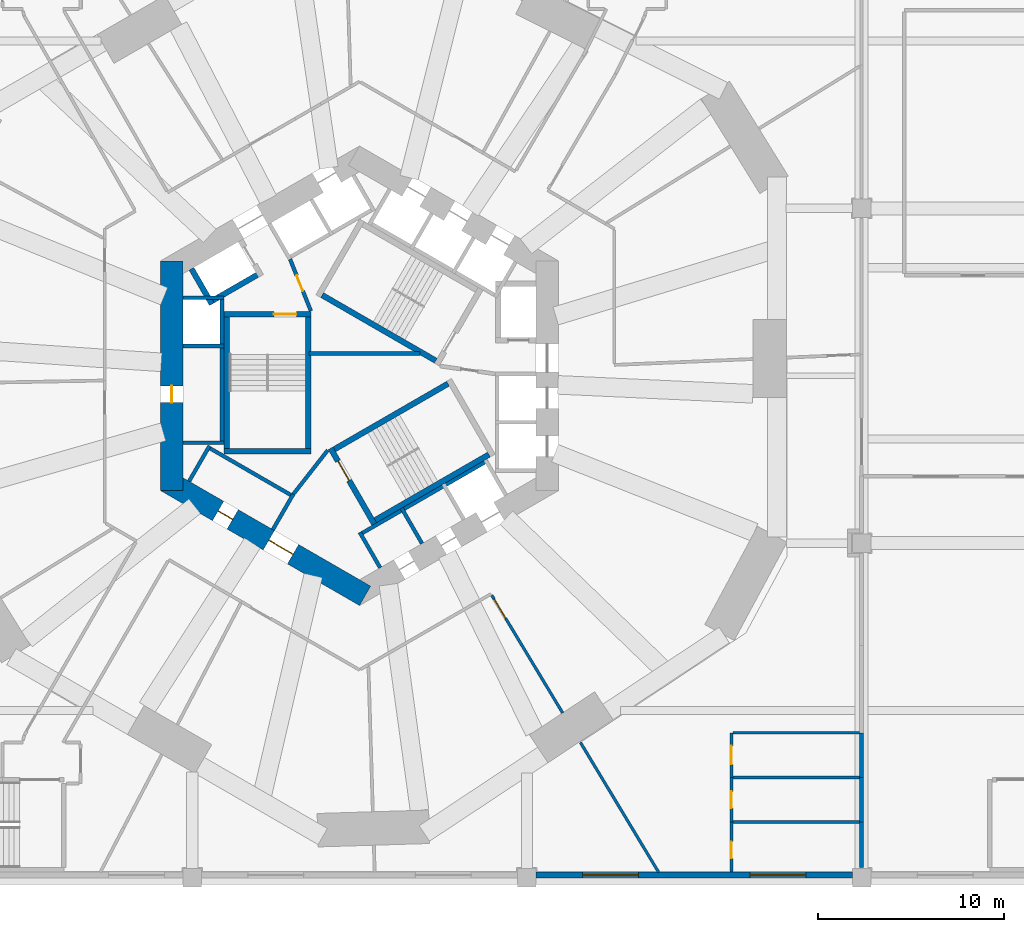
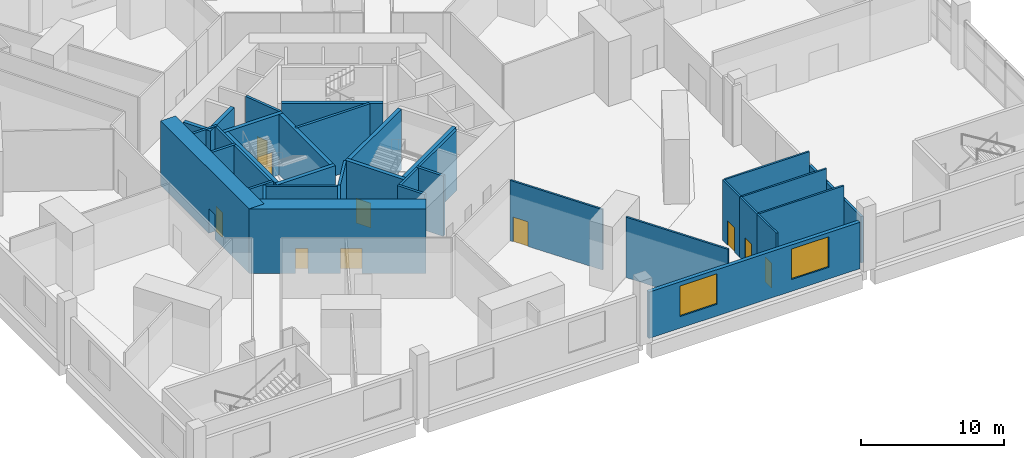
# One storey, part 6 of 16: 37 walls, 10 doors, 2 windows, 12 openings.
"""IFC4 building model written with IfcOpenShell, lengths in metres."""

from ifc_helpers import new_model, si_unit, direction, frame, frame_2d, origin, place, context, subcontext, project, spatial, rectangle, extrude, material, layer, layer_set, type_object, element, fill, save


model = new_model("IFC4")

# Units and contexts
model_context = context("Model", 3, precision=1e-05, world=origin(), true_north=direction((0.0, 1.0)))
body_context = subcontext(model_context, "Body", "Model", "MODEL_VIEW")
ifc_project = project(units=[si_unit("LENGTHUNIT", "METRE"), si_unit("AREAUNIT", "SQUARE_METRE"), si_unit("VOLUMEUNIT", "CUBIC_METRE"), si_unit("PLANEANGLEUNIT", "RADIAN"), si_unit("MASSUNIT", "GRAM", prefix="KILO")], contexts=[model_context])

# Site, building, storey
site_placement = place(None, origin())
site = spatial("IfcSite", under=ifc_project, at=site_placement, CompositionType="ELEMENT")
building_placement = place(site_placement, origin())
building = spatial("IfcBuilding", under=site, at=building_placement, Name="Vanh Sen Convention Tower", CompositionType="ELEMENT")
storey_placement = place(building_placement, frame((0.0, 0.0, 29.0)))
storey = spatial("IfcBuildingStorey", under=building, at=storey_placement, Name="L04", CompositionType="ELEMENT", Elevation=29.0)

# Wall, opening, door
ifc_material_1 = material(Name="Concrete C80/95", Category="concrete")
ifc_layer_1 = layer(ifc_material_1, 1.199951171875)
ifc_layer_set_1 = layer_set([ifc_layer_1], Name="Concrete C80/95")
wall_type_1 = type_object("IfcWallType", Name="Core outer wall 1200 C80/95", PredefinedType="SHEAR", material=ifc_layer_set_1)
wall_1_placement = place(storey_placement, frame((-10.10009765625, 6.177490234375, 0.0), z_axis=(0.0, 0.0, 1.0), x_axis=(0.0, -1.0, 0.0)))
wall_1 = element("IfcWall", 1, at=wall_1_placement, inside=storey, type_object=wall_type_1, Name="Core wall face W L04", PredefinedType="SHEAR", context=body_context, shape_type="SweptSolid", body=[
    extrude(rectangle(XDim=12.35498046875, YDim=1.199951171875, at=frame_2d((6.177490234375, 0.0))), origin(), (0.0, 0.0, 1.0), 5.5),
])
opening_1_placement = place(wall_1_placement, frame((6.7275390625, 0.0, 0.0)))
opening_1 = element("IfcOpeningElement", 2, at=opening_1_placement, cuts=wall_1, Name="Opening D04009", PredefinedType="OPENING", context=body_context, shape_type="SweptSolid", body=[
    extrude(rectangle(XDim=0.89990234375, YDim=2.10009765625, at=frame_2d((0.449951171875, 1.050048828125))), frame((0.0, 0.60986328125, 0.0), z_axis=(0.0, -1.0, 0.0), x_axis=(1.0, 0.0, 0.0)), (0.0, 0.0, 1.0), 1.219970703125),
])
ifc_material_2 = material(Name="Steel S355", Category="steel")
door_type_1 = type_object("IfcDoorType", Name="Plant door 900", OperationType="SINGLE_SWING_LEFT", PredefinedType="DOOR", material=ifc_material_2)
door_1_placement = place(opening_1_placement, origin())
door_1 = element("IfcDoor", 3, at=door_1_placement, inside=storey, type_object=door_type_1, Name="Plant door D04009", OperationType="SINGLE_SWING_LEFT", OverallHeight=2.10009765625, OverallWidth=0.89990234375, PredefinedType="DOOR", context=body_context, shape_type="SweptSolid", body=[
    extrude(rectangle(XDim=0.89990234375, YDim=2.10009765625, at=frame_2d((0.449951171875, 1.050048828125))), frame((0.0, 0.02490234375, 0.0), z_axis=(0.0, -1.0, 0.0), x_axis=(1.0, 0.0, 0.0)), (0.0, 0.0, 1.0), 0.050048828125),
])
fill(opening_1, door_1)

# Wall, openings, doors
wall_2_placement = place(storey_placement, frame((-10.39990234375, -5.657958984375, 0.0), z_axis=(0.0, 0.0, 1.0), x_axis=(0.866021384402, -0.500006961711, 0.0)))
wall_2 = element("IfcWall", 4, at=wall_2_placement, inside=storey, type_object=wall_type_1, Name="Core wall face SW L04", PredefinedType="SHEAR", context=body_context, shape_type="SweptSolid", body=[
    extrude(rectangle(XDim=12.355224609375, YDim=1.199951171875, at=frame_2d((6.177734375, 0.0))), origin(), (0.0, 0.0, 1.0), 5.5),
])
opening_2_placement = place(wall_2_placement, frame((6.377685546875, 0.0, 0.0)))
opening_2 = element("IfcOpeningElement", 5, at=opening_2_placement, cuts=wall_2, Name="Opening D04003", PredefinedType="OPENING", context=body_context, shape_type="SweptSolid", body=[
    extrude(rectangle(XDim=1.5, YDim=2.10009765625, at=frame_2d((0.75, 1.050048828125))), frame((0.0, 0.60986328125, 0.0), z_axis=(0.0, -1.0, 0.0), x_axis=(1.0, 0.0, 0.0)), (0.0, 0.0, 1.0), 1.219970703125),
])
opening_3_placement = place(wall_2_placement, frame((3.227783203125, 0.0, 0.0)))
opening_3 = element("IfcOpeningElement", 6, at=opening_3_placement, cuts=wall_2, Name="Opening D04010", PredefinedType="OPENING", context=body_context, shape_type="SweptSolid", body=[
    extrude(rectangle(XDim=0.89990234375, YDim=2.10009765625, at=frame_2d((0.449951171875, 1.050048828125))), frame((0.0, 0.60986328125, 0.0), z_axis=(0.0, -1.0, 0.0), x_axis=(1.0, 0.0, 0.0)), (0.0, 0.0, 1.0), 1.219970703125),
])
door_2_placement = place(opening_3_placement, origin())
door_2 = element("IfcDoor", 7, at=door_2_placement, inside=storey, type_object=door_type_1, Name="Plant door D04010", OperationType="SINGLE_SWING_LEFT", OverallHeight=2.10009765625, OverallWidth=0.89990234375, PredefinedType="DOOR", context=body_context, shape_type="SweptSolid", body=[
    extrude(rectangle(XDim=0.89990234375, YDim=2.10009765625, at=frame_2d((0.449951171875, 1.050048828125))), frame((0.0, 0.02490234375, 0.0), z_axis=(0.0, -1.0, 0.0), x_axis=(1.0, 0.0, 0.0)), (0.0, 0.0, 1.0), 0.050048828125),
])
fill(opening_3, door_2)
door_type_2 = type_object("IfcDoorType", Name="Stair lobby door 1500", OperationType="DOUBLE_DOOR_SINGLE_SWING", PredefinedType="DOOR", material=ifc_material_2)
door_3_placement = place(opening_2_placement, origin())
door_3 = element("IfcDoor", 8, at=door_3_placement, inside=storey, type_object=door_type_2, Name="Stair lobby door D04003", OperationType="DOUBLE_DOOR_SINGLE_SWING", OverallHeight=2.10009765625, OverallWidth=1.5, PredefinedType="DOOR", context=body_context, shape_type="SweptSolid", body=[
    extrude(rectangle(XDim=1.5, YDim=2.10009765625, at=frame_2d((0.75, 1.050048828125))), frame((0.0, 0.02490234375, 0.0), z_axis=(0.0, -1.0, 0.0), x_axis=(1.0, 0.0, 0.0)), (0.0, 0.0, 1.0), 0.050048828125),
])
fill(opening_2, door_3)

# Walls
ifc_material_3 = material(Name="Masonry blockwork", Category="masonry")
ifc_layer_2 = layer(ifc_material_3, 0.199951171875)
ifc_layer_set_2 = layer_set([ifc_layer_2], Name="Masonry blockwork")
wall_type_2 = type_object("IfcWallType", Name="Core partition 200", PredefinedType="PARTITIONING", material=ifc_layer_set_2)
wall_3_placement = place(storey_placement, frame((-2.719970703125, 1.199951171875, 0.0), z_axis=(0.0, 0.0, 1.0), x_axis=(1.0, 0.0, 0.0)))
element("IfcWall", 9, at=wall_3_placement, inside=storey, type_object=wall_type_2, Name="Core partition L04", PredefinedType="PARTITIONING", context=body_context, shape_type="SweptSolid", body=[
    extrude(rectangle(XDim=5.96142578125, YDim=0.199951171875, at=frame_2d((2.980712890625, 0.0))), origin(), (0.0, 0.0, 1.0), 5.14990234375),
])
ifc_material_4 = material(Name="Concrete C60/75", Category="concrete")
ifc_layer_3 = layer(ifc_material_4, 0.300048828125)
ifc_layer_set_3 = layer_set([ifc_layer_3], Name="Concrete C60/75")
wall_type_3 = type_object("IfcWallType", Name="Fire-fighting lift shaft wall 300", PredefinedType="SHEAR", material=ifc_layer_set_3)
wall_4_placement = place(storey_placement, frame((-5.240478515625, 5.576904296875, 0.0), z_axis=(0.0, 0.0, 1.0), x_axis=(-0.866014461049, -0.500018952895, 0.0)))
element("IfcWall", 10, at=wall_4_placement, inside=storey, type_object=wall_type_3, Name="Fire-fighting lift shaft wall L04", PredefinedType="SHEAR", context=body_context, shape_type="SweptSolid", body=[
    extrude(rectangle(XDim=3.349853515625, YDim=0.300048828125, at=frame_2d((1.6748046875, 0.0))), origin(), (0.0, 0.0, 1.0), 5.14990234375),
])
wall_5_placement = place(storey_placement, frame((-7.936767578125, 3.846923828125, 0.0), z_axis=(0.0, 0.0, 1.0), x_axis=(-0.50002983664, 0.866008176907, 0.0)))
element("IfcWall", 11, at=wall_5_placement, inside=storey, type_object=wall_type_3, Name="Fire-fighting lift shaft wall L04", PredefinedType="SHEAR", context=body_context, shape_type="SweptSolid", body=[
    extrude(rectangle(XDim=2.199951171875, YDim=0.300048828125, at=frame_2d((1.10009765625, 0.0))), origin(), (0.0, 0.0, 1.0), 5.14990234375),
])
ifc_material_5 = material(Name="Concrete C40/50", Category="concrete")
ifc_layer_4 = layer(ifc_material_5, 0.199951171875)
ifc_layer_set_4 = layer_set([ifc_layer_4], Name="Concrete C40/50")
wall_type_4 = type_object("IfcWallType", Name="Lift shaft wall 200", PredefinedType="PARTITIONING", material=ifc_layer_set_4)
wall_6_placement = place(storey_placement, frame((-7.39990234375, 4.300048828125, 0.0), z_axis=(0.0, 0.0, 1.0), x_axis=(0.0, -1.0, 0.0)))
element("IfcWall", 12, at=wall_6_placement, inside=storey, type_object=wall_type_4, Name="Lift shaft wall L04", PredefinedType="PARTITIONING", context=body_context, shape_type="SweptSolid", body=[
    extrude(rectangle(XDim=8.0, YDim=0.199951171875, at=frame_2d((4.0, 0.0))), origin(), (0.0, 0.0, 1.0), 5.14990234375),
])
for number, where, z_axis, x_axis, name in (
    (13, (-7.300048828125, 4.199951171875, 0.0), (0.0, 0.0, 1.0), (-1.0, 0.0, 0.0), "Lift shaft wall L04"),
    (14, (-7.300048828125, 1.60009765625, 0.0), (0.0, 0.0, 1.0), (-1.0, 0.0, 0.0), "Lift shaft wall L04"),
    (15, (-7.300048828125, -3.60009765625, 0.0), (0.0, 0.0, 1.0), (-1.0, 0.0, 0.0), "Lift shaft wall L04"),
):
    element("IfcWall", number, at=place(storey_placement, frame(where, z_axis=z_axis, x_axis=x_axis)), inside=storey, type_object=wall_type_4, Name=name, PredefinedType="PARTITIONING", context=body_context, shape_type="SweptSolid", body=[
        extrude(rectangle(XDim=2.199951171875, YDim=0.199951171875, at=frame_2d((1.10009765625, 0.0))), origin(), (0.0, 0.0, 1.0), 5.14990234375),
    ])
wall_7_placement = place(storey_placement, frame((-8.203369140625, -3.80859375, 0.0), z_axis=(0.0, 0.0, 1.0), x_axis=(0.866028230842, -0.499995103361, 0.0)))
element("IfcWall", 16, at=wall_7_placement, inside=storey, type_object=wall_type_4, Name="Lift shaft wall L04", PredefinedType="PARTITIONING", context=body_context, shape_type="SweptSolid", body=[
    extrude(rectangle(XDim=5.39990234375, YDim=0.199951171875, at=frame_2d((2.699951171875, 0.0))), origin(), (0.0, 0.0, 1.0), 5.14990234375),
])
wall_8_placement = place(storey_placement, frame((-8.066650390625, -3.77197265625, 0.0), z_axis=(0.0, 0.0, 1.0), x_axis=(-0.50002983664, -0.866008176907, 0.0)))
element("IfcWall", 17, at=wall_8_placement, inside=storey, type_object=wall_type_4, Name="Lift shaft wall L04", PredefinedType="PARTITIONING", context=body_context, shape_type="SweptSolid", body=[
    extrude(rectangle(XDim=2.199951171875, YDim=0.199951171875, at=frame_2d((1.10009765625, 0.0))), origin(), (0.0, 0.0, 1.0), 5.14990234375),
])
wall_9_placement = place(storey_placement, frame((-3.5634765625, -6.3720703125, 0.0), z_axis=(0.0, 0.0, 1.0), x_axis=(-0.499994660107, -0.866028486751, 0.0)))
element("IfcWall", 18, at=wall_9_placement, inside=storey, type_object=wall_type_4, Name="Lift shaft wall L04", PredefinedType="PARTITIONING", context=body_context, shape_type="SweptSolid", body=[
    extrude(rectangle(XDim=2.19970703125, YDim=0.199951171875, at=frame_2d((1.099853515625, 0.0))), origin(), (0.0, 0.0, 1.0), 5.14990234375),
])
wall_10_placement = place(storey_placement, frame((-0.02392578125, -8.55859375, 0.0), z_axis=(0.0, 0.0, 1.0), x_axis=(0.866026010844, 0.49999894854, 0.0)))
element("IfcWall", 19, at=wall_10_placement, inside=storey, type_object=wall_type_4, Name="Lift shaft wall L04", PredefinedType="PARTITIONING", context=body_context, shape_type="SweptSolid", body=[
    extrude(rectangle(XDim=8.0, YDim=0.199951171875, at=frame_2d((4.0, 0.0))), origin(), (0.0, 0.0, 1.0), 5.14990234375),
])
for number, where, z_axis, x_axis, name in (
    (20, (0.0126953125, -8.422119140625, 0.0), (0.0, 0.0, 1.0), (0.500077893725, -0.86598042715, 0.0), "Lift shaft wall L04"),
    (21, (2.264404296875, -7.1220703125, 0.0), (0.0, 0.0, 1.0), (0.500077893725, -0.86598042715, 0.0), "Lift shaft wall L04"),
):
    element("IfcWall", number, at=place(storey_placement, frame(where, z_axis=z_axis, x_axis=x_axis)), inside=storey, type_object=wall_type_4, Name=name, PredefinedType="PARTITIONING", context=body_context, shape_type="SweptSolid", body=[
        extrude(rectangle(XDim=2.199951171875, YDim=0.199951171875, at=frame_2d((1.10009765625, 0.0))), origin(), (0.0, 0.0, 1.0), 5.14990234375),
    ])

# Wall, opening, door
ifc_material_6 = material(Name="Gypsum board on steel studs", Category="steel")
ifc_layer_5 = layer(ifc_material_6, 0.14990234375)
ifc_layer_set_5 = layer_set([ifc_layer_5], Name="Gypsum board on steel studs")
wall_type_5 = type_object("IfcWallType", Name="Partition 150", PredefinedType="PARTITIONING", material=ifc_layer_set_5)
wall_11_placement = place(storey_placement, frame((20.0, -26.699951171875, 0.0), z_axis=(0.0, 0.0, 1.0), x_axis=(0.0, 1.0, 0.0)))
wall_11 = element("IfcWall", 22, at=wall_11_placement, inside=storey, type_object=wall_type_5, Name="Partition L04-001", PredefinedType="PARTITIONING", context=body_context, shape_type="SweptSolid", body=[
    extrude(rectangle(XDim=2.699951171875, YDim=0.14990234375, at=frame_2d((1.35009765625, 0.0))), origin(), (0.0, 0.0, 1.0), 5.14990234375),
])
opening_4_placement = place(wall_11_placement, frame((0.75, 0.0, 0.0)))
opening_4 = element("IfcOpeningElement", 23, at=opening_4_placement, cuts=wall_11, Name="Opening D04101", PredefinedType="OPENING", context=body_context, shape_type="SweptSolid", body=[
    extrude(rectangle(XDim=0.89990234375, YDim=2.10009765625, at=frame_2d((0.449951171875, 1.050048828125))), frame((0.0, 0.0849609375, 0.0), z_axis=(0.0, -1.0, 0.0), x_axis=(1.0, 0.0, 0.0)), (0.0, 0.0, 1.0), 0.169921875),
])
ifc_material_7 = material(Name="Timber door in steel frame", Category="steel")
door_type_3 = type_object("IfcDoorType", Name="Room door 900", OperationType="SINGLE_SWING_LEFT", PredefinedType="DOOR", material=ifc_material_7)
door_4_placement = place(opening_4_placement, origin())
door_4 = element("IfcDoor", 24, at=door_4_placement, inside=storey, type_object=door_type_3, Name="Room door D04101", OperationType="SINGLE_SWING_LEFT", OverallHeight=2.10009765625, OverallWidth=0.89990234375, PredefinedType="DOOR", context=body_context, shape_type="SweptSolid", body=[
    extrude(rectangle(XDim=0.89990234375, YDim=2.10009765625, at=frame_2d((0.449951171875, 1.050048828125))), frame((0.0, 0.02490234375, 0.0), z_axis=(0.0, -1.0, 0.0), x_axis=(1.0, 0.0, 0.0)), (0.0, 0.0, 1.0), 0.050048828125),
])
fill(opening_4, door_4)

wall_12_placement = place(storey_placement, frame((20.0, -24.0, 0.0), z_axis=(0.0, 0.0, 1.0), x_axis=(0.0, 1.0, 0.0)))
wall_12 = element("IfcWall", 25, at=wall_12_placement, inside=storey, type_object=wall_type_5, Name="Partition L04-007", PredefinedType="PARTITIONING", context=body_context, shape_type="SweptSolid", body=[
    extrude(rectangle(XDim=2.39990234375, YDim=0.14990234375, at=frame_2d((1.199951171875, 0.0))), origin(), (0.0, 0.0, 1.0), 5.14990234375),
])
opening_5_placement = place(wall_12_placement, frame((0.75, 0.0, 0.0)))
opening_5 = element("IfcOpeningElement", 26, at=opening_5_placement, cuts=wall_12, Name="Opening D04102", PredefinedType="OPENING", context=body_context, shape_type="SweptSolid", body=[
    extrude(rectangle(XDim=0.89990234375, YDim=2.10009765625, at=frame_2d((0.449951171875, 1.050048828125))), frame((0.0, 0.0849609375, 0.0), z_axis=(0.0, -1.0, 0.0), x_axis=(1.0, 0.0, 0.0)), (0.0, 0.0, 1.0), 0.169921875),
])
door_5_placement = place(opening_5_placement, origin())
door_5 = element("IfcDoor", 27, at=door_5_placement, inside=storey, type_object=door_type_3, Name="Room door D04102", OperationType="SINGLE_SWING_LEFT", OverallHeight=2.10009765625, OverallWidth=0.89990234375, PredefinedType="DOOR", context=body_context, shape_type="SweptSolid", body=[
    extrude(rectangle(XDim=0.89990234375, YDim=2.10009765625, at=frame_2d((0.449951171875, 1.050048828125))), frame((0.0, 0.02490234375, 0.0), z_axis=(0.0, -1.0, 0.0), x_axis=(1.0, 0.0, 0.0)), (0.0, 0.0, 1.0), 0.050048828125),
])
fill(opening_5, door_5)

# Wall
wall_13_placement = place(storey_placement, frame((20.080078125, -24.0, 0.0), z_axis=(0.0, 0.0, 1.0), x_axis=(1.0, 0.0, 0.0)))
element("IfcWall", 28, at=wall_13_placement, inside=storey, type_object=wall_type_5, Name="Partition L04-008", PredefinedType="PARTITIONING", context=body_context, shape_type="SweptSolid", body=[
    extrude(rectangle(XDim=6.81982421875, YDim=0.14990234375, at=frame_2d((3.409912109375, 0.0))), origin(), (0.0, 0.0, 1.0), 5.14990234375),
])

# Wall, opening, door
wall_14_placement = place(storey_placement, frame((20.0, -21.60009765625, 0.0), z_axis=(0.0, 0.0, 1.0), x_axis=(0.0, 1.0, 0.0)))
wall_14 = element("IfcWall", 29, at=wall_14_placement, inside=storey, type_object=wall_type_5, Name="Partition L04-015", PredefinedType="PARTITIONING", context=body_context, shape_type="SweptSolid", body=[
    extrude(rectangle(XDim=2.400146484375, YDim=0.14990234375, at=frame_2d((1.2001953125, 0.0))), origin(), (0.0, 0.0, 1.0), 5.14990234375),
])
opening_6_placement = place(wall_14_placement, frame((0.699951171875, 0.0, 0.0)))
opening_6 = element("IfcOpeningElement", 30, at=opening_6_placement, cuts=wall_14, Name="Opening D04105", PredefinedType="OPENING", context=body_context, shape_type="SweptSolid", body=[
    extrude(rectangle(XDim=1.0, YDim=2.10009765625, at=frame_2d((0.5, 1.050048828125))), frame((0.0, 0.0849609375, 0.0), z_axis=(0.0, -1.0, 0.0), x_axis=(1.0, 0.0, 0.0)), (0.0, 0.0, 1.0), 0.169921875),
])
door_type_4 = type_object("IfcDoorType", Name="Room door 1000", OperationType="SINGLE_SWING_LEFT", PredefinedType="DOOR", material=ifc_material_7)
door_6_placement = place(opening_6_placement, origin())
door_6 = element("IfcDoor", 31, at=door_6_placement, inside=storey, type_object=door_type_4, Name="Room door D04105", OperationType="SINGLE_SWING_LEFT", OverallHeight=2.10009765625, OverallWidth=1.0, PredefinedType="DOOR", context=body_context, shape_type="SweptSolid", body=[
    extrude(rectangle(XDim=1.0, YDim=2.10009765625, at=frame_2d((0.5, 1.050048828125))), frame((0.0, 0.02490234375, 0.0), z_axis=(0.0, -1.0, 0.0), x_axis=(1.0, 0.0, 0.0)), (0.0, 0.0, 1.0), 0.050048828125),
])
fill(opening_6, door_6)

# Walls
for number, where, z_axis, x_axis, name in (
    (32, (20.080078125, -21.60009765625, 0.0), (0.0, 0.0, 1.0), (1.0, 0.0, 0.0), "Partition L04-016"),
    (33, (20.080078125, -19.199951171875, 0.0), (0.0, 0.0, 1.0), (1.0, 0.0, 0.0), "Partition L04-025"),
):
    element("IfcWall", number, at=place(storey_placement, frame(where, z_axis=z_axis, x_axis=x_axis)), inside=storey, type_object=wall_type_5, Name=name, PredefinedType="PARTITIONING", context=body_context, shape_type="SweptSolid", body=[
        extrude(rectangle(XDim=6.81982421875, YDim=0.14990234375, at=frame_2d((3.409912109375, 0.0))), origin(), (0.0, 0.0, 1.0), 5.14990234375),
    ])
ifc_layer_6 = layer(ifc_material_6, 0.14990234375)
ifc_layer_set_6 = layer_set([ifc_layer_6], Name="Gypsum board on steel studs")
wall_type_6 = type_object("IfcWallType", Name="Partition 150 EI 60", PredefinedType="PARTITIONING", material=ifc_layer_set_6)
wall_15_placement = place(storey_placement, frame((11.87939453125, -19.719482421875, 0.0), z_axis=(0.0, 0.0, 1.0), x_axis=(0.516054476578, -0.856555764212, 0.0)))
element("IfcWall", 34, at=wall_15_placement, inside=storey, type_object=wall_type_6, Name="Partition L04-022", PredefinedType="PARTITIONING", context=body_context, shape_type="SweptSolid", body=[
    extrude(rectangle(XDim=8.1494140625, YDim=0.14990234375, at=frame_2d((4.07470703125, 0.0))), origin(), (0.0, 0.0, 1.0), 5.14990234375),
])

# Wall, opening, door
wall_16_placement = place(storey_placement, frame((10.923583984375, -18.1328125, 0.0), z_axis=(0.0, 0.0, 1.0), x_axis=(-0.516035715917, 0.856567066784, 0.0)))
wall_16 = element("IfcWall", 35, at=wall_16_placement, inside=storey, type_object=wall_type_6, Name="Partition L04-028", PredefinedType="PARTITIONING", context=body_context, shape_type="SweptSolid", body=[
    extrude(rectangle(XDim=7.38671875, YDim=0.14990234375, at=frame_2d((3.693359375, 0.0))), origin(), (0.0, 0.0, 1.0), 5.14990234375),
])
opening_7_placement = place(wall_16_placement, frame((5.936767578125, 0.0, 0.0)))
opening_7 = element("IfcOpeningElement", 36, at=opening_7_placement, cuts=wall_16, Name="Opening D04108", PredefinedType="OPENING", context=body_context, shape_type="SweptSolid", body=[
    extrude(rectangle(XDim=1.199951171875, YDim=2.10009765625, at=frame_2d((0.60009765625, 1.050048828125))), frame((0.0, 0.0849609375, 0.0), z_axis=(0.0, -1.0, 0.0), x_axis=(1.0, 0.0, 0.0)), (0.0, 0.0, 1.0), 0.169921875),
])
door_type_5 = type_object("IfcDoorType", Name="Room door 1200 EI 30", OperationType="SINGLE_SWING_LEFT", PredefinedType="DOOR", material=ifc_material_7)
door_7_placement = place(opening_7_placement, origin())
door_7 = element("IfcDoor", 37, at=door_7_placement, inside=storey, type_object=door_type_5, Name="Room door D04108", OperationType="SINGLE_SWING_LEFT", OverallHeight=2.10009765625, OverallWidth=1.199951171875, PredefinedType="DOOR", context=body_context, shape_type="SweptSolid", body=[
    extrude(rectangle(XDim=1.199951171875, YDim=2.10009765625, at=frame_2d((0.60009765625, 1.050048828125))), frame((0.0, 0.02490234375, 0.0), z_axis=(0.0, -1.0, 0.0), x_axis=(1.0, 0.0, 0.0)), (0.0, 0.0, 1.0), 0.050048828125),
])
fill(opening_7, door_7)

# Walls
ifc_material_8 = material(Name="Concrete C20/25", Category="concrete")
ifc_layer_7 = layer(ifc_material_8, 0.199951171875)
ifc_layer_set_7 = layer_set([ifc_layer_7], Name="Concrete C20/25")
wall_type_7 = type_object("IfcWallType", Name="Partition 200 EI 120", PredefinedType="PARTITIONING", material=ifc_layer_set_7)
wall_17_placement = place(storey_placement, frame((27.0, -26.449951171875, 0.0), z_axis=(0.0, 0.0, 1.0), x_axis=(0.0, 1.0, 0.0)))
element("IfcWall", 38, at=wall_17_placement, inside=storey, type_object=wall_type_7, Name="Partition L04-002", PredefinedType="PARTITIONING", context=body_context, shape_type="SweptSolid", body=[
    extrude(rectangle(XDim=2.449951171875, YDim=0.199951171875, at=frame_2d((1.22509765625, 0.0))), origin(), (0.0, 0.0, 1.0), 3.949951171875),
])
wall_18_placement = place(storey_placement, frame((27.0, -24.0, 0.0), z_axis=(0.0, 0.0, 1.0), x_axis=(0.0, 1.0, 0.0)))
element("IfcWall", 39, at=wall_18_placement, inside=storey, type_object=wall_type_7, Name="Partition L04-009", PredefinedType="PARTITIONING", context=body_context, shape_type="SweptSolid", body=[
    extrude(rectangle(XDim=2.39990234375, YDim=0.199951171875, at=frame_2d((1.199951171875, 0.0))), origin(), (0.0, 0.0, 1.0), 3.949951171875),
])
wall_19_placement = place(storey_placement, frame((27.0, -21.60009765625, 0.0), z_axis=(0.0, 0.0, 1.0), x_axis=(0.0, 1.0, 0.0)))
element("IfcWall", 40, at=wall_19_placement, inside=storey, type_object=wall_type_7, Name="Partition L04-017", PredefinedType="PARTITIONING", context=body_context, shape_type="SweptSolid", body=[
    extrude(rectangle(XDim=2.400146484375, YDim=0.199951171875, at=frame_2d((1.2001953125, 0.0))), origin(), (0.0, 0.0, 1.0), 3.949951171875),
])

# Wall, openings, windows
ifc_material_9 = material(Name="Concrete C50/60", Category="concrete")
ifc_layer_8 = layer(ifc_material_9, 0.300048828125)
ifc_layer_set_8 = layer_set([ifc_layer_8], Name="Concrete C50/60")
wall_type_8 = type_object("IfcWallType", Name="Podium wall 300", PredefinedType="STANDARD", material=ifc_layer_set_8)
wall_20_placement = place(storey_placement, frame((9.5, -26.85009765625, 0.0), z_axis=(0.0, 0.0, 1.0), x_axis=(1.0, 0.0, 0.0)))
wall_20 = element("IfcWall", 41, at=wall_20_placement, inside=storey, type_object=wall_type_8, Name="Podium wall S3 L04", PredefinedType="STANDARD", context=body_context, shape_type="SweptSolid", body=[
    extrude(rectangle(XDim=17.0, YDim=0.300048828125, at=frame_2d((8.5, 0.0))), origin(), (0.0, 0.0, 1.0), 3.949951171875),
])
opening_8_placement = place(wall_20_placement, frame((2.5, 0.0, 1.0)))
opening_8 = element("IfcOpeningElement", 42, at=opening_8_placement, cuts=wall_20, Name="Opening WP2-S5", PredefinedType="OPENING", context=body_context, shape_type="SweptSolid", body=[
    extrude(rectangle(XDim=3.0, YDim=2.60009765625, at=frame_2d((1.5, 1.300048828125))), frame((0.0, 0.159912109375, 0.0), z_axis=(0.0, -1.0, 0.0), x_axis=(1.0, 0.0, 0.0)), (0.0, 0.0, 1.0), 0.320068359375),
])
opening_9_placement = place(wall_20_placement, frame((11.5, 0.0, 1.0)))
opening_9 = element("IfcOpeningElement", 43, at=opening_9_placement, cuts=wall_20, Name="Opening WP2-S6", PredefinedType="OPENING", context=body_context, shape_type="SweptSolid", body=[
    extrude(rectangle(XDim=3.0, YDim=2.60009765625, at=frame_2d((1.5, 1.300048828125))), frame((0.0, 0.159912109375, 0.0), z_axis=(0.0, -1.0, 0.0), x_axis=(1.0, 0.0, 0.0)), (0.0, 0.0, 1.0), 0.320068359375),
])
ifc_material_10 = material(Name="Aluminium frame with clear low-emissivity glass", Category="aluminium")
window_type = type_object("IfcWindowType", Name="Podium window 3000 x 2600", PartitioningType="SINGLE_PANEL", PredefinedType="WINDOW", material=ifc_material_10)
window_1_placement = place(opening_8_placement, origin())
window_1 = element("IfcWindow", 44, at=window_1_placement, inside=storey, type_object=window_type, Name="Window WP2-S5", OverallHeight=2.60009765625, OverallWidth=3.0, PartitioningType="SINGLE_PANEL", PredefinedType="WINDOW", context=body_context, shape_type="SweptSolid", body=[
    extrude(rectangle(XDim=3.0, YDim=2.60009765625, at=frame_2d((1.5, 1.300048828125))), frame((0.0, 0.030029296875, 0.0), z_axis=(0.0, -1.0, 0.0), x_axis=(1.0, 0.0, 0.0)), (0.0, 0.0, 1.0), 0.06005859375),
])
fill(opening_8, window_1)
window_2_placement = place(opening_9_placement, origin())
window_2 = element("IfcWindow", 45, at=window_2_placement, inside=storey, type_object=window_type, Name="Window WP2-S6", OverallHeight=2.60009765625, OverallWidth=3.0, PartitioningType="SINGLE_PANEL", PredefinedType="WINDOW", context=body_context, shape_type="SweptSolid", body=[
    extrude(rectangle(XDim=3.0, YDim=2.60009765625, at=frame_2d((1.5, 1.300048828125))), frame((0.0, 0.030029296875, 0.0), z_axis=(0.0, -1.0, 0.0), x_axis=(1.0, 0.0, 0.0)), (0.0, 0.0, 1.0), 0.06005859375),
])
fill(opening_9, window_2)

# Wall, opening, door
ifc_layer_9 = layer(ifc_material_5, 0.199951171875)
ifc_layer_set_9 = layer_set([ifc_layer_9], Name="Concrete C40/50")
wall_type_9 = type_object("IfcWallType", Name="Stair lobby wall 200", PredefinedType="PARTITIONING", material=ifc_layer_set_9)
wall_21_placement = place(storey_placement, frame((-2.614990234375, 3.487060546875, 0.0), z_axis=(0.0, 0.0, 1.0), x_axis=(-0.373576831041, 0.92759924068, 0.0)))
wall_21 = element("IfcWall", 46, at=wall_21_placement, inside=storey, type_object=wall_type_9, Name="Stair lobby wall L04", PredefinedType="PARTITIONING", context=body_context, shape_type="SweptSolid", body=[
    extrude(rectangle(XDim=3.002197265625, YDim=0.199951171875, at=frame_2d((1.5009765625, 0.0))), origin(), (0.0, 0.0, 1.0), 5.14990234375),
])
opening_10_placement = place(wall_21_placement, frame((1.14990234375, 0.0, 0.0)))
opening_10 = element("IfcOpeningElement", 47, at=opening_10_placement, cuts=wall_21, Name="Opening D04008", PredefinedType="OPENING", context=body_context, shape_type="SweptSolid", body=[
    extrude(rectangle(XDim=0.89990234375, YDim=2.10009765625, at=frame_2d((0.449951171875, 1.050048828125))), frame((0.0, 0.10986328125, 0.0), z_axis=(0.0, -1.0, 0.0), x_axis=(1.0, 0.0, 0.0)), (0.0, 0.0, 1.0), 0.219970703125),
])
door_8_placement = place(opening_10_placement, origin())
door_8 = element("IfcDoor", 48, at=door_8_placement, inside=storey, type_object=door_type_1, Name="Plant door D04008", OperationType="SINGLE_SWING_LEFT", OverallHeight=2.10009765625, OverallWidth=0.89990234375, PredefinedType="DOOR", context=body_context, shape_type="SweptSolid", body=[
    extrude(rectangle(XDim=0.89990234375, YDim=2.10009765625, at=frame_2d((0.449951171875, 1.050048828125))), frame((0.0, 0.02490234375, 0.0), z_axis=(0.0, -1.0, 0.0), x_axis=(1.0, 0.0, 0.0)), (0.0, 0.0, 1.0), 0.050048828125),
])
fill(opening_10, door_8)

# Walls
wall_22_placement = place(storey_placement, frame((-1.71240234375, -4.00830078125, 0.0), z_axis=(0.0, 0.0, 1.0), x_axis=(-0.616549420702, -0.787316208287, 0.0)))
element("IfcWall", 49, at=wall_22_placement, inside=storey, type_object=wall_type_9, Name="Stair lobby wall L04", PredefinedType="PARTITIONING", context=body_context, shape_type="SweptSolid", body=[
    extrude(rectangle(XDim=3.002197265625, YDim=0.199951171875, at=frame_2d((1.5009765625, 0.0))), origin(), (0.0, 0.0, 1.0), 5.14990234375),
])
ifc_layer_10 = layer(ifc_material_4, 0.300048828125)
ifc_layer_set_10 = layer_set([ifc_layer_10], Name="Concrete C60/75")
wall_type_10 = type_object("IfcWallType", Name="Stair wall 300", PredefinedType="SHEAR", material=ifc_layer_set_10)
wall_23_placement = place(storey_placement, frame((4.10302734375, 0.806640625, 0.0), z_axis=(0.0, 0.0, 1.0), x_axis=(-0.866027801685, 0.499995846692, 0.0)))
element("IfcWall", 50, at=wall_23_placement, inside=storey, type_object=wall_type_10, Name="Stair wall L04", PredefinedType="SHEAR", context=body_context, shape_type="SweptSolid", body=[
    extrude(rectangle(XDim=7.06005859375, YDim=0.300048828125, at=frame_2d((3.530029296875, 0.0))), origin(), (0.0, 0.0, 1.0), 5.14990234375),
])

# Wall, opening, door
wall_24_placement = place(storey_placement, frame((-2.60009765625, 3.300048828125, 0.0), z_axis=(0.0, 0.0, 1.0), x_axis=(-1.0, 0.0, 0.0)))
wall_24 = element("IfcWall", 51, at=wall_24_placement, inside=storey, type_object=wall_type_10, Name="Stair wall L04", PredefinedType="SHEAR", context=body_context, shape_type="SweptSolid", body=[
    extrude(rectangle(XDim=4.699951171875, YDim=0.300048828125, at=frame_2d((2.35009765625, 0.0))), origin(), (0.0, 0.0, 1.0), 5.14990234375),
])
opening_11_placement = place(wall_24_placement, frame((0.800048828125, 0.0, 0.0)))
opening_11 = element("IfcOpeningElement", 52, at=opening_11_placement, cuts=wall_24, Name="Opening D04005", PredefinedType="OPENING", context=body_context, shape_type="SweptSolid", body=[
    extrude(rectangle(XDim=1.199951171875, YDim=2.10009765625, at=frame_2d((0.60009765625, 1.050048828125))), frame((0.0, 0.159912109375, 0.0), z_axis=(0.0, -1.0, 0.0), x_axis=(1.0, 0.0, 0.0)), (0.0, 0.0, 1.0), 0.320068359375),
])
door_type_6 = type_object("IfcDoorType", Name="Stair door 1200", OperationType="SINGLE_SWING_RIGHT", PredefinedType="DOOR", material=ifc_material_2)
door_9_placement = place(opening_11_placement, origin())
door_9 = element("IfcDoor", 53, at=door_9_placement, inside=storey, type_object=door_type_6, Name="Stair ST2 door D04005", OperationType="SINGLE_SWING_RIGHT", OverallHeight=2.10009765625, OverallWidth=1.199951171875, PredefinedType="DOOR", context=body_context, shape_type="SweptSolid", body=[
    extrude(rectangle(XDim=1.199951171875, YDim=2.10009765625, at=frame_2d((0.60009765625, 1.050048828125))), frame((0.0, 0.02490234375, 0.0), z_axis=(0.0, -1.0, 0.0), x_axis=(1.0, 0.0, 0.0)), (0.0, 0.0, 1.0), 0.050048828125),
])
fill(opening_11, door_9)

# Walls
wall_25_placement = place(storey_placement, frame((-2.60009765625, -4.06005859375, 0.0), z_axis=(0.0, 0.0, 1.0), x_axis=(-1.0, 0.0, 0.0)))
element("IfcWall", 54, at=wall_25_placement, inside=storey, type_object=wall_type_10, Name="Stair wall L04", PredefinedType="SHEAR", context=body_context, shape_type="SweptSolid", body=[
    extrude(rectangle(XDim=4.699951171875, YDim=0.300048828125, at=frame_2d((2.35009765625, 0.0))), origin(), (0.0, 0.0, 1.0), 5.14990234375),
])
for number, where, z_axis, x_axis, name in (
    (55, (-2.75, 3.14990234375, 0.0), (0.0, 0.0, 1.0), (0.0, -1.0, 0.0), "Stair wall L04"),
    (56, (-7.14990234375, 3.14990234375, 0.0), (0.0, 0.0, 1.0), (0.0, -1.0, 0.0), "Stair wall L04"),
):
    element("IfcWall", number, at=place(storey_placement, frame(where, z_axis=z_axis, x_axis=x_axis)), inside=storey, type_object=wall_type_10, Name=name, PredefinedType="SHEAR", context=body_context, shape_type="SweptSolid", body=[
        extrude(rectangle(XDim=7.059814453125, YDim=0.300048828125, at=frame_2d((3.52978515625, 0.0))), origin(), (0.0, 0.0, 1.0), 5.14990234375),
    ])

# Wall, opening, door
wall_26_placement = place(storey_placement, frame((-1.557861328125, -3.901611328125, 0.0), z_axis=(0.0, 0.0, 1.0), x_axis=(0.499977259774, -0.866038532462, 0.0)))
wall_26 = element("IfcWall", 57, at=wall_26_placement, inside=storey, type_object=wall_type_10, Name="Stair wall L04", PredefinedType="SHEAR", context=body_context, shape_type="SweptSolid", body=[
    extrude(rectangle(XDim=4.699951171875, YDim=0.300048828125, at=frame_2d((2.35009765625, 0.0))), origin(), (0.0, 0.0, 1.0), 5.14990234375),
])
opening_12_placement = place(wall_26_placement, frame((0.800048828125, 0.0, 0.0)))
opening_12 = element("IfcOpeningElement", 58, at=opening_12_placement, cuts=wall_26, Name="Opening D04006", PredefinedType="OPENING", context=body_context, shape_type="SweptSolid", body=[
    extrude(rectangle(XDim=1.199951171875, YDim=2.10009765625, at=frame_2d((0.60009765625, 1.050048828125))), frame((0.0, 0.159912109375, 0.0), z_axis=(0.0, -1.0, 0.0), x_axis=(1.0, 0.0, 0.0)), (0.0, 0.0, 1.0), 0.320068359375),
])
door_10_placement = place(opening_12_placement, origin())
door_10 = element("IfcDoor", 59, at=door_10_placement, inside=storey, type_object=door_type_6, Name="Stair ST3 door D04006", OperationType="SINGLE_SWING_RIGHT", OverallHeight=2.10009765625, OverallWidth=1.199951171875, PredefinedType="DOOR", context=body_context, shape_type="SweptSolid", body=[
    extrude(rectangle(XDim=1.199951171875, YDim=2.10009765625, at=frame_2d((0.60009765625, 1.050048828125))), frame((0.0, 0.02490234375, 0.0), z_axis=(0.0, -1.0, 0.0), x_axis=(1.0, 0.0, 0.0)), (0.0, 0.0, 1.0), 0.050048828125),
])
fill(opening_12, door_10)

# Walls
for number, where, z_axis, x_axis, name in (
    (60, (-1.35302734375, -3.95654296875, 0.0), (0.0, 0.0, 1.0), (0.866027801685, 0.499995846692, 0.0), "Stair wall L04"),
    (61, (0.846923828125, -7.76708984375, 0.0), (0.0, 0.0, 1.0), (0.866027801685, 0.499995846692, 0.0), "Stair wall L04"),
):
    element("IfcWall", number, at=place(storey_placement, frame(where, z_axis=z_axis, x_axis=x_axis)), inside=storey, type_object=wall_type_10, Name=name, PredefinedType="SHEAR", context=body_context, shape_type="SweptSolid", body=[
        extrude(rectangle(XDim=7.06005859375, YDim=0.300048828125, at=frame_2d((3.530029296875, 0.0))), origin(), (0.0, 0.0, 1.0), 5.14990234375),
    ])

save(model, "model.ifc")
